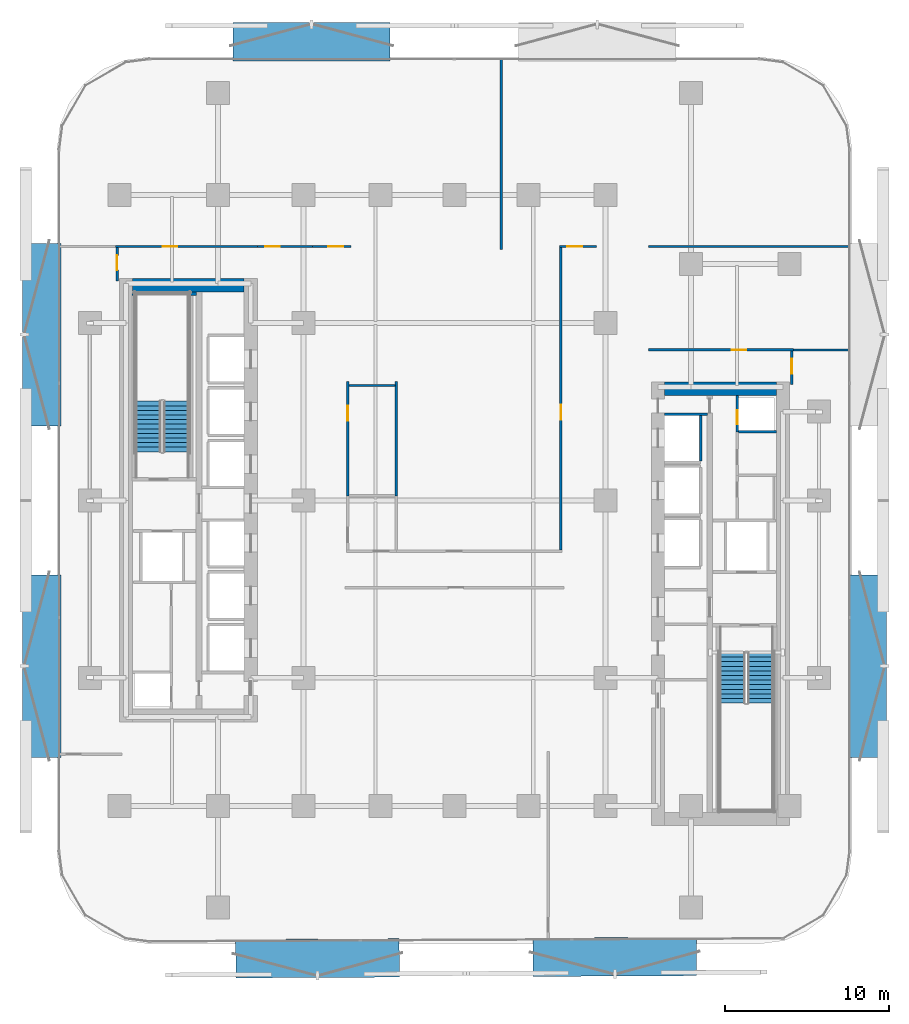
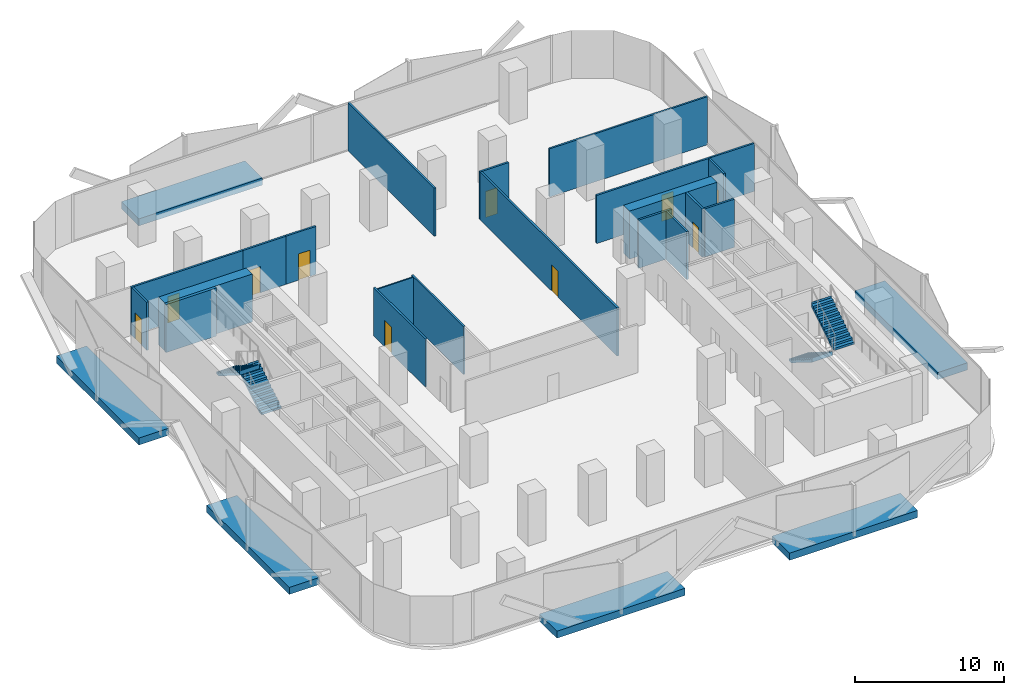
# One storey, part 5 of 15: 21 walls, 10 doors, 6 discrete accessories, 4 stair flights, 10 openings, 2 elements without a shape of their own.
"""IFC4 building model written with IfcOpenShell, lengths in metres."""

from ifc_helpers import new_model, si_unit, direction, frame, frame_2d, origin, origin_2d, place, context, subcontext, project, spatial, polyline, rectangle, outline, extrude, material, layer, layer_set, type_object, element, fill, aggregate, save


model = new_model("IFC4")

# Units and contexts
model_context = context("Model", 3, precision=1e-05, world=origin(), true_north=direction((0.0, 1.0)))
body_context = subcontext(model_context, "Body", "Model", "MODEL_VIEW")
ifc_project = project(units=[si_unit("LENGTHUNIT", "METRE"), si_unit("AREAUNIT", "SQUARE_METRE"), si_unit("VOLUMEUNIT", "CUBIC_METRE"), si_unit("PLANEANGLEUNIT", "RADIAN"), si_unit("MASSUNIT", "GRAM", prefix="KILO")], contexts=[model_context])

# Site, building, storey
site_placement = place(None, origin())
site = spatial("IfcSite", under=ifc_project, at=site_placement, CompositionType="ELEMENT")
building_placement = place(site_placement, origin())
building = spatial("IfcBuilding", under=site, at=building_placement, Name="Khairoan Windgate Tower", CompositionType="ELEMENT")
storey_placement = place(building_placement, frame((0.0, 0.0, 34.39990234375)))
storey = spatial("IfcBuildingStorey", under=building, at=storey_placement, Name="L08", CompositionType="ELEMENT", Elevation=34.39990234375)

# Walls
ifc_material_1 = material(Name="Moisture-Resistant Gypsum Partition", Category="gypsum")
ifc_layer_1 = layer(ifc_material_1, 0.10009765625, Name="Moisture-Resistant Gypsum Partition")
ifc_layer_set_1 = layer_set([ifc_layer_1], Name="Moisture-Resistant Gypsum Partition")
wall_type_1 = type_object("IfcWallType", Name="Bathroom Wet-Area Partition Wall", PredefinedType="PARTITIONING", material=ifc_layer_set_1)
wall_1_placement = place(storey_placement, frame((-6.409912109375, 7.0, 0.0), z_axis=(0.0, 0.0, 1.0), x_axis=(1.0, 0.0, 0.0)))
element("IfcWall", 1, at=wall_1_placement, inside=storey, type_object=wall_type_1, Name="L08 Wet Room Side Wall 033", PredefinedType="PARTITIONING", context=body_context, shape_type="SweptSolid", body=[
    extrude(rectangle(XDim=2.7998046875, YDim=0.10009765625, at=frame_2d((1.39990234375, 0.0))), origin(), (0.0, 0.0, 1.0), 3.940185546875),
])
ifc_material_2 = material(Name="Concrete C40/50", Category="concrete")
ifc_layer_2 = layer(ifc_material_2, 0.159912109375, Name="Concrete C40/50")
ifc_layer_set_2 = layer_set([ifc_layer_2], Name="Concrete C40/50")
wall_type_2 = type_object("IfcWallType", Name="Core and Hoistway Enclosure Wall", PredefinedType="STANDARD", material=ifc_layer_set_2)
wall_2_placement = place(storey_placement, frame((14.989990234375, 2.39990234375, 0.0), z_axis=(0.0, 0.0, 1.0), x_axis=(0.0, 1.0, 0.0)))
element("IfcWall", 2, at=wall_2_placement, inside=storey, type_object=wall_type_2, Name="L08 Lift PL7 Hoistway Back Wall", PredefinedType="STANDARD", context=body_context, shape_type="SweptSolid", body=[
    extrude(rectangle(XDim=2.800048828125, YDim=0.159912109375, at=frame_2d((1.39990234375, 0.0))), origin(), (0.0, 0.0, 1.0), 3.940185546875),
])
wall_3_placement = place(storey_placement, frame((12.800048828125, 5.25, 0.0), z_axis=(0.0, 0.0, 1.0), x_axis=(1.0, 0.0, 0.0)))
element("IfcWall", 3, at=wall_3_placement, inside=storey, type_object=wall_type_2, Name="L08 Core Shaft Wall SW-ESV-L08", PredefinedType="STANDARD", context=body_context, shape_type="SweptSolid", body=[
    extrude(rectangle(XDim=2.599853515625, YDim=0.159912109375, at=frame_2d((1.2998046875, 0.0))), origin(), (0.0, 0.0, 1.0), 3.940185546875),
])
ifc_material_3 = material(Name="Acoustic Fire-Rated Gypsum Partition", Category="gypsum")
ifc_layer_3 = layer(ifc_material_3, 0.139892578125, Name="Acoustic Fire-Rated Gypsum Partition")
ifc_layer_set_3 = layer_set([ifc_layer_3], Name="Acoustic Fire-Rated Gypsum Partition")
wall_type_3 = type_object("IfcWallType", Name="Inter-Tenancy Compartment Wall", PredefinedType="PARTITIONING", material=ifc_layer_set_3)
wall_4_placement = place(storey_placement, frame((20.639892578125, 9.159912109375, 0.0), z_axis=(0.0, 0.0, 1.0), x_axis=(1.0, 0.0, 0.0)))
element("IfcWall", 4, at=wall_4_placement, inside=storey, type_object=wall_type_3, Name="L08 Interior Partition 025", PredefinedType="PARTITIONING", context=body_context, shape_type="SweptSolid", body=[
    extrude(rectangle(XDim=3.4150390625, YDim=0.139892578125, at=frame_2d((1.70751953125, 0.0))), origin(), (0.0, 0.0, 1.0), 3.940185546875),
])
wall_5_placement = place(storey_placement, frame((11.81005859375, 15.4599609375, 0.0), z_axis=(0.0, 0.0, 1.0), x_axis=(1.0, 0.0, 0.0)))
element("IfcWall", 5, at=wall_5_placement, inside=storey, type_object=wall_type_3, Name="L08 Interior Partition 026", PredefinedType="PARTITIONING", context=body_context, shape_type="SweptSolid", body=[
    extrude(rectangle(XDim=12.244873046875, YDim=0.139892578125, at=frame_2d((6.12255859375, 0.0))), origin(), (0.0, 0.0, 1.0), 3.940185546875),
])
wall_6_placement = place(storey_placement, frame((2.85595703125, 15.280029296875, 0.0), z_axis=(0.0, 0.0, 1.0), x_axis=(0.0, 1.0, 0.0)))
element("IfcWall", 6, at=wall_6_placement, inside=storey, type_object=wall_type_3, Name="L08 Interior Partition 027", PredefinedType="PARTITIONING", context=body_context, shape_type="SweptSolid", body=[
    extrude(rectangle(XDim=11.574951171875, YDim=0.139892578125, at=frame_2d((5.78759765625, 0.0))), origin(), (0.0, 0.0, 1.0), 3.940185546875),
])
wall_7_placement = place(storey_placement, frame((-3.5400390625, 0.280029296875, 0.0), z_axis=(0.0, 0.0, 1.0), x_axis=(0.0, 1.0, 0.0)))
element("IfcWall", 7, at=wall_7_placement, inside=storey, type_object=wall_type_3, Name="L08 Interior Partition 031", PredefinedType="PARTITIONING", context=body_context, shape_type="SweptSolid", body=[
    extrude(rectangle(XDim=6.9599609375, YDim=0.139892578125, at=frame_2d((3.47998046875, 0.0))), origin(), (0.0, 0.0, 1.0), 3.940185546875),
])

# Wall, opening, door
ifc_material_4 = material(Name="Concrete C40/50", Category="concrete")
ifc_layer_4 = layer(ifc_material_4, 0.159912109375, Name="Concrete C40/50")
ifc_layer_set_4 = layer_set([ifc_layer_4], Name="Concrete C40/50")
wall_type_4 = type_object("IfcWallType", Name="Plant and Refuge Compartment Wall", PredefinedType="PARTITIONING", material=ifc_layer_set_4)
wall_8_placement = place(storey_placement, frame((17.22998046875, 4.169921875, 0.0), z_axis=(0.0, 0.0, 1.0), x_axis=(0.0, 1.0, 0.0)))
wall_8 = element("IfcWall", 8, at=wall_8_placement, inside=storey, type_object=wall_type_4, Name="L08 Interior Partition 004", PredefinedType="PARTITIONING", context=body_context, shape_type="SweptSolid", body=[
    extrude(rectangle(XDim=2.22998046875, YDim=0.159912109375, at=frame_2d((1.114990234375, 0.0))), origin(), (0.0, 0.0, 1.0), 3.940185546875),
])
opening_1_placement = place(wall_8_placement, frame((0.4599609375, 0.0, 0.0)))
opening_1 = element("IfcOpeningElement", 9, at=opening_1_placement, cuts=wall_8, Name="Opening FD-SRV", PredefinedType="OPENING", context=body_context, shape_type="SweptSolid", body=[
    extrude(rectangle(XDim=0.85009765625, YDim=2.10009765625, at=frame_2d((0.425048828125, 1.050048828125))), frame((0.0, 0.08984375, 0.0), z_axis=(0.0, -1.0, 0.0), x_axis=(1.0, 0.0, 0.0)), (0.0, 0.0, 1.0), 0.179931640625),
])
ifc_material_5 = material(Name="Steel S355", Category="steel")
door_type_1 = type_object("IfcDoorType", Name="Core Service and Riser Fire Door FD-SRV 850x2100", OperationType="NOTDEFINED", PredefinedType="DOOR", material=ifc_material_5)
door_1_placement = place(opening_1_placement, origin())
door_1 = element("IfcDoor", 10, at=door_1_placement, inside=storey, type_object=door_type_1, Name="L08 L08-18-L08-19 Door", OperationType="SINGLE_SWING_LEFT", OverallHeight=2.10009765625, OverallWidth=0.85009765625, PredefinedType="DOOR", context=body_context, shape_type="SweptSolid", body=[
    extrude(rectangle(XDim=0.85009765625, YDim=2.10009765625, at=frame_2d((0.425048828125, 1.050048828125))), frame((0.0, 0.02490234375, 0.0), z_axis=(0.0, -1.0, 0.0), x_axis=(1.0, 0.0, 0.0)), (0.0, 0.0, 1.0), 0.050048828125),
])
fill(opening_1, door_1)

# Wall
wall_9_placement = place(storey_placement, frame((17.31005859375, 4.169921875, 0.0), z_axis=(0.0, 0.0, 1.0), x_axis=(1.0, 0.0, 0.0)))
element("IfcWall", 11, at=wall_9_placement, inside=storey, type_object=wall_type_4, Name="L08 Interior Partition 007", PredefinedType="PARTITIONING", context=body_context, shape_type="SweptSolid", body=[
    extrude(rectangle(XDim=2.2900390625, YDim=0.159912109375, at=frame_2d((1.14501953125, 0.0))), origin(), (0.0, 0.0, 1.0), 3.940185546875),
])

# Wall, opening, door
ifc_material_6 = material(Name="Acoustic Fire-Rated Gypsum Partition", Category="gypsum")
ifc_layer_5 = layer(ifc_material_6, 0.14990234375, Name="Acoustic Fire-Rated Gypsum Partition")
ifc_layer_set_5 = layer_set([ifc_layer_5], Name="Acoustic Fire-Rated Gypsum Partition")
wall_type_5 = type_object("IfcWallType", Name="Rated Corridor Partition Wall", PredefinedType="PARTITIONING", material=ifc_layer_set_5)
wall_10_placement = place(storey_placement, frame((-11.989990234375, 15.4599609375, 0.0), z_axis=(0.0, 0.0, 1.0), x_axis=(1.0, 0.0, 0.0)))
wall_10 = element("IfcWall", 12, at=wall_10_placement, inside=storey, type_object=wall_type_5, Name="L08 Interior Partition 010", PredefinedType="PARTITIONING", context=body_context, shape_type="SweptSolid", body=[
    extrude(rectangle(XDim=3.35009765625, YDim=0.14990234375, at=frame_2d((1.675048828125, 0.0))), origin(), (0.0, 0.0, 1.0), 3.940185546875),
])
opening_2_placement = place(wall_10_placement, frame((0.4599609375, 0.0, 0.0)))
opening_2 = element("IfcOpeningElement", 13, at=opening_2_placement, cuts=wall_10, Name="Opening FD-ENT", PredefinedType="OPENING", context=body_context, shape_type="SweptSolid", body=[
    extrude(rectangle(XDim=0.89990234375, YDim=2.14990234375, at=frame_2d((0.449951171875, 1.074951171875))), frame((0.0, 0.0849609375, 0.0), z_axis=(0.0, -1.0, 0.0), x_axis=(1.0, 0.0, 0.0)), (0.0, 0.0, 1.0), 0.169921875),
])
ifc_material_7 = material(Name="Timber Fire-Rated Core", Category="wood")
door_type_2 = type_object("IfcDoorType", Name="Unit and Office Fire Entrance Door FD-ENT 900x2150", OperationType="NOTDEFINED", PredefinedType="DOOR", material=ifc_material_7)
door_2_placement = place(opening_2_placement, origin())
door_2 = element("IfcDoor", 14, at=door_2_placement, inside=storey, type_object=door_type_2, Name="L08 L08-29-L08-39 Door", OperationType="SINGLE_SWING_RIGHT", OverallHeight=2.14990234375, OverallWidth=0.89990234375, PredefinedType="DOOR", context=body_context, shape_type="SweptSolid", body=[
    extrude(rectangle(XDim=0.89990234375, YDim=2.14990234375, at=frame_2d((0.449951171875, 1.074951171875))), frame((0.0, 0.02490234375, 0.0), z_axis=(0.0, -1.0, 0.0), x_axis=(1.0, 0.0, 0.0)), (0.0, 0.0, 1.0), 0.050048828125),
])
fill(opening_2, door_2)

wall_11_placement = place(storey_placement, frame((-8.639892578125, 15.4599609375, 0.0), z_axis=(0.0, 0.0, 1.0), x_axis=(1.0, 0.0, 0.0)))
wall_11 = element("IfcWall", 15, at=wall_11_placement, inside=storey, type_object=wall_type_5, Name="L08 Interior Partition 014", PredefinedType="PARTITIONING", context=body_context, shape_type="SweptSolid", body=[
    extrude(rectangle(XDim=2.329833984375, YDim=0.14990234375, at=frame_2d((1.1650390625, 0.0))), origin(), (0.0, 0.0, 1.0), 3.940185546875),
])
opening_3_placement = place(wall_11_placement, frame((0.969970703125, 0.0, 0.0)))
opening_3 = element("IfcOpeningElement", 16, at=opening_3_placement, cuts=wall_11, Name="Opening FD-ENT", PredefinedType="OPENING", context=body_context, shape_type="SweptSolid", body=[
    extrude(rectangle(XDim=0.89990234375, YDim=2.14990234375, at=frame_2d((0.449951171875, 1.074951171875))), frame((0.0, 0.0849609375, 0.0), z_axis=(0.0, -1.0, 0.0), x_axis=(1.0, 0.0, 0.0)), (0.0, 0.0, 1.0), 0.169921875),
])
door_3_placement = place(opening_3_placement, origin())
door_3 = element("IfcDoor", 17, at=door_3_placement, inside=storey, type_object=door_type_2, Name="L08 L08-32-L08-39 Door", OperationType="SINGLE_SWING_RIGHT", OverallHeight=2.14990234375, OverallWidth=0.89990234375, PredefinedType="DOOR", context=body_context, shape_type="SweptSolid", body=[
    extrude(rectangle(XDim=0.89990234375, YDim=2.14990234375, at=frame_2d((0.449951171875, 1.074951171875))), frame((0.0, 0.02490234375, 0.0), z_axis=(0.0, -1.0, 0.0), x_axis=(1.0, 0.0, 0.0)), (0.0, 0.0, 1.0), 0.050048828125),
])
fill(opening_3, door_3)

wall_12_placement = place(storey_placement, frame((-6.485107421875, 0.280029296875, 0.0), z_axis=(0.0, 0.0, 1.0), x_axis=(0.0, 1.0, 0.0)))
wall_12 = element("IfcWall", 18, at=wall_12_placement, inside=storey, type_object=wall_type_5, Name="L08 Interior Partition 016", PredefinedType="PARTITIONING", context=body_context, shape_type="SweptSolid", body=[
    extrude(rectangle(XDim=6.9599609375, YDim=0.14990234375, at=frame_2d((3.47998046875, 0.0))), origin(), (0.0, 0.0, 1.0), 3.940185546875),
])
opening_4_placement = place(wall_12_placement, frame((4.572021484375, 0.0, 0.0)))
opening_4 = element("IfcOpeningElement", 19, at=opening_4_placement, cuts=wall_12, Name="Opening FD-ENT", PredefinedType="OPENING", context=body_context, shape_type="SweptSolid", body=[
    extrude(rectangle(XDim=0.89990234375, YDim=2.14990234375, at=frame_2d((0.449951171875, 1.074951171875))), frame((0.0, 0.0849609375, 0.0), z_axis=(0.0, -1.0, 0.0), x_axis=(1.0, 0.0, 0.0)), (0.0, 0.0, 1.0), 0.169921875),
])
door_4_placement = place(opening_4_placement, origin())
door_4 = element("IfcDoor", 20, at=door_4_placement, inside=storey, type_object=door_type_2, Name="L08 L08-32-L08-44 Door", OperationType="SINGLE_SWING_RIGHT", OverallHeight=2.14990234375, OverallWidth=0.89990234375, PredefinedType="DOOR", context=body_context, shape_type="SweptSolid", body=[
    extrude(rectangle(XDim=0.89990234375, YDim=2.14990234375, at=frame_2d((0.449951171875, 1.074951171875))), frame((0.0, 0.02490234375, 0.0), z_axis=(0.0, -1.0, 0.0), x_axis=(1.0, 0.0, 0.0)), (0.0, 0.0, 1.0), 0.050048828125),
])
fill(opening_4, door_4)

wall_13_placement = place(storey_placement, frame((6.409912109375, 15.4599609375, 0.0), z_axis=(0.0, 0.0, 1.0), x_axis=(1.0, 0.0, 0.0)))
wall_13 = element("IfcWall", 21, at=wall_13_placement, inside=storey, type_object=wall_type_5, Name="L08 Interior Partition 017", PredefinedType="PARTITIONING", context=body_context, shape_type="SweptSolid", body=[
    extrude(rectangle(XDim=2.22998046875, YDim=0.14990234375, at=frame_2d((1.114990234375, 0.0))), origin(), (0.0, 0.0, 1.0), 3.940185546875),
])
opening_5_placement = place(wall_13_placement, frame((0.4599609375, 0.0, 0.0)))
opening_5 = element("IfcOpeningElement", 22, at=opening_5_placement, cuts=wall_13, Name="Opening FD-ENT", PredefinedType="OPENING", context=body_context, shape_type="SweptSolid", body=[
    extrude(rectangle(XDim=0.89990234375, YDim=2.14990234375, at=frame_2d((0.449951171875, 1.074951171875))), frame((0.0, 0.0849609375, 0.0), z_axis=(0.0, -1.0, 0.0), x_axis=(1.0, 0.0, 0.0)), (0.0, 0.0, 1.0), 0.169921875),
])
door_5_placement = place(opening_5_placement, origin())
door_5 = element("IfcDoor", 23, at=door_5_placement, inside=storey, type_object=door_type_2, Name="L08 L08-33-L08-40 Door", OperationType="SINGLE_SWING_LEFT", OverallHeight=2.14990234375, OverallWidth=0.89990234375, PredefinedType="DOOR", context=body_context, shape_type="SweptSolid", body=[
    extrude(rectangle(XDim=0.89990234375, YDim=2.14990234375, at=frame_2d((0.449951171875, 1.074951171875))), frame((0.0, 0.02490234375, 0.0), z_axis=(0.0, -1.0, 0.0), x_axis=(1.0, 0.0, 0.0)), (0.0, 0.0, 1.0), 0.050048828125),
])
fill(opening_5, door_5)

wall_14_placement = place(storey_placement, frame((6.485107421875, -3.02001953125, 0.0), z_axis=(0.0, 0.0, 1.0), x_axis=(0.0, 1.0, 0.0)))
wall_14 = element("IfcWall", 24, at=wall_14_placement, inside=storey, type_object=wall_type_5, Name="L08 Interior Partition 018", PredefinedType="PARTITIONING", context=body_context, shape_type="SweptSolid", body=[
    extrude(rectangle(XDim=18.405029296875, YDim=0.14990234375, at=frame_2d((9.20263671875, 0.0))), origin(), (0.0, 0.0, 1.0), 3.940185546875),
])
opening_6_placement = place(wall_14_placement, frame((7.943603515625, 0.0, 0.0)))
opening_6 = element("IfcOpeningElement", 25, at=opening_6_placement, cuts=wall_14, Name="Opening FD-ENT", PredefinedType="OPENING", context=body_context, shape_type="SweptSolid", body=[
    extrude(rectangle(XDim=0.89990234375, YDim=2.14990234375, at=frame_2d((0.449951171875, 1.074951171875))), frame((0.0, 0.0849609375, 0.0), z_axis=(0.0, -1.0, 0.0), x_axis=(1.0, 0.0, 0.0)), (0.0, 0.0, 1.0), 0.169921875),
])
door_6_placement = place(opening_6_placement, origin())
door_6 = element("IfcDoor", 26, at=door_6_placement, inside=storey, type_object=door_type_2, Name="L08 L08-33-L08-45 Door", OperationType="SINGLE_SWING_RIGHT", OverallHeight=2.14990234375, OverallWidth=0.89990234375, PredefinedType="DOOR", context=body_context, shape_type="SweptSolid", body=[
    extrude(rectangle(XDim=0.89990234375, YDim=2.14990234375, at=frame_2d((0.449951171875, 1.074951171875))), frame((0.0, 0.02490234375, 0.0), z_axis=(0.0, -1.0, 0.0), x_axis=(1.0, 0.0, 0.0)), (0.0, 0.0, 1.0), 0.050048828125),
])
fill(opening_6, door_6)

wall_15_placement = place(storey_placement, frame((-20.5400390625, 13.360107421875, 0.0), z_axis=(0.0, 0.0, 1.0), x_axis=(0.0, 1.0, 0.0)))
wall_15 = element("IfcWall", 27, at=wall_15_placement, inside=storey, type_object=wall_type_5, Name="L08 Interior Partition 019", PredefinedType="PARTITIONING", context=body_context, shape_type="SweptSolid", body=[
    extrude(rectangle(XDim=2.02490234375, YDim=0.14990234375, at=frame_2d((1.012451171875, 0.0))), origin(), (0.0, 0.0, 1.0), 3.940185546875),
])
opening_7_placement = place(wall_15_placement, frame((0.6650390625, 0.0, 0.0)))
opening_7 = element("IfcOpeningElement", 28, at=opening_7_placement, cuts=wall_15, Name="Opening FD-ENT", PredefinedType="OPENING", context=body_context, shape_type="SweptSolid", body=[
    extrude(rectangle(XDim=0.89990234375, YDim=2.14990234375, at=frame_2d((0.449951171875, 1.074951171875))), frame((0.0, 0.0849609375, 0.0), z_axis=(0.0, -1.0, 0.0), x_axis=(1.0, 0.0, 0.0)), (0.0, 0.0, 1.0), 0.169921875),
])
door_7_placement = place(opening_7_placement, origin())
door_7 = element("IfcDoor", 29, at=door_7_placement, inside=storey, type_object=door_type_2, Name="L08 L08-34-L08-36 Door", OperationType="SINGLE_SWING_LEFT", OverallHeight=2.14990234375, OverallWidth=0.89990234375, PredefinedType="DOOR", context=body_context, shape_type="SweptSolid", body=[
    extrude(rectangle(XDim=0.89990234375, YDim=2.14990234375, at=frame_2d((0.449951171875, 1.074951171875))), frame((0.0, 0.02490234375, 0.0), z_axis=(0.0, -1.0, 0.0), x_axis=(1.0, 0.0, 0.0)), (0.0, 0.0, 1.0), 0.050048828125),
])
fill(opening_7, door_7)

wall_16_placement = place(storey_placement, frame((-20.639892578125, 15.4599609375, 0.0), z_axis=(0.0, 0.0, 1.0), x_axis=(1.0, 0.0, 0.0)))
wall_16 = element("IfcWall", 30, at=wall_16_placement, inside=storey, type_object=wall_type_5, Name="L08 Interior Partition 020", PredefinedType="PARTITIONING", context=body_context, shape_type="SweptSolid", body=[
    extrude(rectangle(XDim=8.64990234375, YDim=0.14990234375, at=frame_2d((4.324951171875, 0.0))), origin(), (0.0, 0.0, 1.0), 3.940185546875),
])
opening_8_placement = place(wall_16_placement, frame((2.87060546875, 0.0, 0.0)))
opening_8 = element("IfcOpeningElement", 31, at=opening_8_placement, cuts=wall_16, Name="Opening FD-ENT", PredefinedType="OPENING", context=body_context, shape_type="SweptSolid", body=[
    extrude(rectangle(XDim=0.89990234375, YDim=2.14990234375, at=frame_2d((0.449951171875, 1.074951171875))), frame((0.0, 0.0849609375, 0.0), z_axis=(0.0, -1.0, 0.0), x_axis=(1.0, 0.0, 0.0)), (0.0, 0.0, 1.0), 0.169921875),
])
door_8_placement = place(opening_8_placement, origin())
door_8 = element("IfcDoor", 32, at=door_8_placement, inside=storey, type_object=door_type_2, Name="L08 L08-34-L08-39 Door", OperationType="SINGLE_SWING_RIGHT", OverallHeight=2.14990234375, OverallWidth=0.89990234375, PredefinedType="DOOR", context=body_context, shape_type="SweptSolid", body=[
    extrude(rectangle(XDim=0.89990234375, YDim=2.14990234375, at=frame_2d((0.449951171875, 1.074951171875))), frame((0.0, 0.02490234375, 0.0), z_axis=(0.0, -1.0, 0.0), x_axis=(1.0, 0.0, 0.0)), (0.0, 0.0, 1.0), 0.050048828125),
])
fill(opening_8, door_8)

wall_17_placement = place(storey_placement, frame((20.5400390625, 7.06005859375, 0.0), z_axis=(0.0, 0.0, 1.0), x_axis=(0.0, 1.0, 0.0)))
wall_17 = element("IfcWall", 33, at=wall_17_placement, inside=storey, type_object=wall_type_5, Name="L08 Interior Partition 021", PredefinedType="PARTITIONING", context=body_context, shape_type="SweptSolid", body=[
    extrude(rectangle(XDim=2.02490234375, YDim=0.14990234375, at=frame_2d((1.012451171875, 0.0))), origin(), (0.0, 0.0, 1.0), 3.940185546875),
])
opening_9_placement = place(wall_17_placement, frame((0.6650390625, 0.0, 0.0)))
opening_9 = element("IfcOpeningElement", 34, at=opening_9_placement, cuts=wall_17, Name="Opening FD-ENT", PredefinedType="OPENING", context=body_context, shape_type="SweptSolid", body=[
    extrude(rectangle(XDim=0.89990234375, YDim=2.14990234375, at=frame_2d((0.449951171875, 1.074951171875))), frame((0.0, 0.0849609375, 0.0), z_axis=(0.0, -1.0, 0.0), x_axis=(1.0, 0.0, 0.0)), (0.0, 0.0, 1.0), 0.169921875),
])
door_9_placement = place(opening_9_placement, origin())
door_9 = element("IfcDoor", 35, at=door_9_placement, inside=storey, type_object=door_type_2, Name="L08 L08-35-L08-37 Door", OperationType="SINGLE_SWING_LEFT", OverallHeight=2.14990234375, OverallWidth=0.89990234375, PredefinedType="DOOR", context=body_context, shape_type="SweptSolid", body=[
    extrude(rectangle(XDim=0.89990234375, YDim=2.14990234375, at=frame_2d((0.449951171875, 1.074951171875))), frame((0.0, 0.02490234375, 0.0), z_axis=(0.0, -1.0, 0.0), x_axis=(1.0, 0.0, 0.0)), (0.0, 0.0, 1.0), 0.050048828125),
])
fill(opening_9, door_9)

wall_18_placement = place(storey_placement, frame((11.81005859375, 9.159912109375, 0.0), z_axis=(0.0, 0.0, 1.0), x_axis=(1.0, 0.0, 0.0)))
wall_18 = element("IfcWall", 36, at=wall_18_placement, inside=storey, type_object=wall_type_5, Name="L08 Interior Partition 022", PredefinedType="PARTITIONING", context=body_context, shape_type="SweptSolid", body=[
    extrude(rectangle(XDim=8.829833984375, YDim=0.14990234375, at=frame_2d((4.4150390625, 0.0))), origin(), (0.0, 0.0, 1.0), 3.940185546875),
])
opening_10_placement = place(wall_18_placement, frame((5.066650390625, 0.0, 0.0)))
opening_10 = element("IfcOpeningElement", 37, at=opening_10_placement, cuts=wall_18, Name="Opening FD-ENT", PredefinedType="OPENING", context=body_context, shape_type="SweptSolid", body=[
    extrude(rectangle(XDim=0.89990234375, YDim=2.14990234375, at=frame_2d((0.449951171875, 1.074951171875))), frame((0.0, 0.0849609375, 0.0), z_axis=(0.0, -1.0, 0.0), x_axis=(1.0, 0.0, 0.0)), (0.0, 0.0, 1.0), 0.169921875),
])
door_10_placement = place(opening_10_placement, origin())
door_10 = element("IfcDoor", 38, at=door_10_placement, inside=storey, type_object=door_type_2, Name="L08 L08-35-L08-38 Door", OperationType="SINGLE_SWING_RIGHT", OverallHeight=2.14990234375, OverallWidth=0.89990234375, PredefinedType="DOOR", context=body_context, shape_type="SweptSolid", body=[
    extrude(rectangle(XDim=0.89990234375, YDim=2.14990234375, at=frame_2d((0.449951171875, 1.074951171875))), frame((0.0, 0.02490234375, 0.0), z_axis=(0.0, -1.0, 0.0), x_axis=(1.0, 0.0, 0.0)), (0.0, 0.0, 1.0), 0.050048828125),
])
fill(opening_10, door_10)

# Walls
ifc_material_8 = material(Name="Concrete C70/85", Category="concrete")
ifc_layer_6 = layer(ifc_material_8, 0.800048828125, Name="Concrete C70/85")
ifc_layer_set_6 = layer_set([ifc_layer_6], Name="Concrete C70/85")
wall_type_6 = type_object("IfcWallType", Name="Shear Wall CW-E1 800mm", PredefinedType="SHEAR", material=ifc_layer_set_6)
wall_19_placement = place(storey_placement, frame((12.800048828125, 6.800048828125, 0.0), z_axis=(0.0, 0.0, 1.0), x_axis=(1.0, 0.0, 0.0)))
element("IfcWall", 39, at=wall_19_placement, inside=storey, type_object=wall_type_6, Name="E Core North Shear Wall L08", PredefinedType="SHEAR", context=body_context, shape_type="SweptSolid", body=[
    extrude(rectangle(XDim=6.800048828125, YDim=0.800048828125, at=frame_2d((3.39990234375, 0.0))), origin(), (0.0, 0.0, 1.0), 3.940185546875),
])
ifc_material_9 = material(Name="Concrete C70/85", Category="concrete")
ifc_layer_7 = layer(ifc_material_9, 0.800048828125, Name="Concrete C70/85")
ifc_layer_set_7 = layer_set([ifc_layer_7], Name="Concrete C70/85")
wall_type_7 = type_object("IfcWallType", Name="Shear Wall CW-W1 800mm", PredefinedType="SHEAR", material=ifc_layer_set_7)
wall_20_placement = place(storey_placement, frame((-19.60009765625, 13.10009765625, 0.0), z_axis=(0.0, 0.0, 1.0), x_axis=(1.0, 0.0, 0.0)))
element("IfcWall", 40, at=wall_20_placement, inside=storey, type_object=wall_type_7, Name="W Core North Shear Wall L08", PredefinedType="SHEAR", context=body_context, shape_type="SweptSolid", body=[
    extrude(rectangle(XDim=6.800048828125, YDim=0.800048828125, at=frame_2d((3.39990234375, 0.0))), origin(), (0.0, 0.0, 1.0), 3.940185546875),
])
ifc_material_10 = material(Name="Concrete C50/60", Category="concrete")
ifc_layer_8 = layer(ifc_material_10, 0.219970703125, Name="Concrete C50/60")
ifc_layer_set_8 = layer_set([ifc_layer_8], Name="Concrete C50/60")
wall_type_8 = type_object("IfcWallType", Name="Shear Wall SW-ST 220mm", PredefinedType="SHEAR", material=ifc_layer_set_8)
wall_21_placement = place(storey_placement, frame((-19.6201171875, 12.590087890625, 0.0), z_axis=(0.0, 0.0, 1.0), x_axis=(1.0, 0.0, 0.0)))
element("IfcWall", 41, at=wall_21_placement, inside=storey, type_object=wall_type_8, Name="L08 Stair ST2 North Bearing Wall", PredefinedType="SHEAR", context=body_context, shape_type="SweptSolid", body=[
    extrude(rectangle(XDim=3.9150390625, YDim=0.219970703125, at=frame_2d((1.95751953125, 0.0))), origin(), (0.0, 0.0, 1.0), 3.940185546875),
])

# Stair, stair flights
ifc_material_11 = material(Name="Concrete C40/50", Category="concrete")
stair_type = type_object("IfcStairType", Name="Tower Core Dog-Leg Stair ST-T1 1560mm", PredefinedType="HALF_TURN_STAIR", material=ifc_material_11)
stair_1_placement = place(storey_placement, origin())
stair_1 = element("IfcStair", 42, at=stair_1_placement, inside=storey, type_object=stair_type, Name="L08 Stair ST1", PredefinedType="HALF_TURN_STAIR")
ifc_material_12 = material(Name="Concrete C40/50", Category="concrete")
ifc_layer_9 = layer(ifc_material_12, 0.14990234375, Name="Concrete C40/50")
ifc_layer_set_9 = layer_set([ifc_layer_9], Name="Concrete C40/50")
stair_flight_type = type_object("IfcStairFlightType", Name="Tower Core Stair Flight STF-1560", PredefinedType="STRAIGHT", material=ifc_layer_set_9)
stair_flight_1_placement = place(storey_placement, frame((16.929931640625, -9.260009765625, 0.0), z_axis=(0.0, 0.0, 1.0), x_axis=(0.0, -1.0, 0.0)))
stair_flight_1 = element("IfcStairFlight", 43, at=stair_flight_1_placement, type_object=stair_flight_type, Name="ST1 flight 1", NumberOfRisers=12, NumberOfTreads=11, PredefinedType="STRAIGHT", RiserHeight=0.175, TreadLength=0.28, context=body_context, shape_type="SweptSolid", body=[
    extrude(outline(polyline([(-0.00390625, 0.0), (-0.00390625, 0.175048828125), (0.0, 0.175048828125), (0.280029296875, 0.175048828125), (0.280029296875, 0.35009765625), (0.56005859375, 0.35009765625), (0.56005859375, 0.52490234375), (0.840087890625, 0.52490234375), (0.840087890625, 0.699951171875), (1.1201171875, 0.699951171875), (1.1201171875, 0.875), (1.39990234375, 0.875), (1.39990234375, 1.050048828125), (1.679931640625, 1.050048828125), (1.679931640625, 1.22509765625), (1.9599609375, 1.22509765625), (1.9599609375, 1.39990234375), (2.239990234375, 1.39990234375), (2.239990234375, 1.574951171875), (2.52001953125, 1.574951171875), (2.52001953125, 1.75), (2.800048828125, 1.75), (2.800048828125, 1.925048828125), (3.080078125, 1.925048828125), (3.080078125, 2.10009765625), (3.083984375, 2.10009765625), (3.083984375, 1.748291015625), (0.28271484375, 0.0), (-0.00390625, 0.0)])), frame((0.0, 0.780029296875, 0.0), z_axis=(0.0, -1.0, 0.0), x_axis=(1.0, 0.0, 0.0)), (0.0, 0.0, 1.0), 1.56005859375),
])
stair_flight_2_placement = place(storey_placement, frame((18.639892578125, -12.340087890625, 2.10009765625), z_axis=(0.0, 0.0, 1.0), x_axis=(0.0, 1.0, 0.0)))
stair_flight_2 = element("IfcStairFlight", 44, at=stair_flight_2_placement, type_object=stair_flight_type, Name="ST1 flight 2", NumberOfRisers=12, NumberOfTreads=11, PredefinedType="STRAIGHT", RiserHeight=0.175, TreadLength=0.28, context=body_context, shape_type="SweptSolid", body=[
    extrude(outline(polyline([(-0.00390625, 0.0), (-0.00390625, 0.175048828125), (0.0, 0.175048828125), (0.280029296875, 0.175048828125), (0.280029296875, 0.35009765625), (0.56005859375, 0.35009765625), (0.56005859375, 0.52490234375), (0.840087890625, 0.52490234375), (0.840087890625, 0.699951171875), (1.1201171875, 0.699951171875), (1.1201171875, 0.875), (1.39990234375, 0.875), (1.39990234375, 1.050048828125), (1.679931640625, 1.050048828125), (1.679931640625, 1.22509765625), (1.9599609375, 1.22509765625), (1.9599609375, 1.39990234375), (2.239990234375, 1.39990234375), (2.239990234375, 1.574951171875), (2.52001953125, 1.574951171875), (2.52001953125, 1.75), (2.800048828125, 1.75), (2.800048828125, 1.925048828125), (3.080078125, 1.925048828125), (3.080078125, 2.10009765625), (3.083984375, 2.10009765625), (3.083984375, 1.748291015625), (0.28271484375, 0.0), (-0.00390625, 0.0)])), frame((0.0, 0.780029296875, 0.0), z_axis=(0.0, -1.0, 0.0), x_axis=(1.0, 0.0, 0.0)), (0.0, 0.0, 1.0), 1.56005859375),
])
aggregate(stair_1, [stair_flight_1, stair_flight_2])

stair_2_placement = place(storey_placement, origin())
stair_2 = element("IfcStair", 45, at=stair_2_placement, inside=storey, type_object=stair_type, Name="L08 Stair ST2", PredefinedType="HALF_TURN_STAIR")
stair_flight_3_placement = place(storey_placement, frame((-16.929931640625, 2.9599609375, 0.0), z_axis=(0.0, 0.0, 1.0), x_axis=(0.0, 1.0, 0.0)))
stair_flight_3 = element("IfcStairFlight", 46, at=stair_flight_3_placement, type_object=stair_flight_type, Name="ST2 flight 1", NumberOfRisers=12, NumberOfTreads=11, PredefinedType="STRAIGHT", RiserHeight=0.175, TreadLength=0.28, context=body_context, shape_type="SweptSolid", body=[
    extrude(outline(polyline([(-0.00390625, 0.0), (-0.00390625, 0.175048828125), (0.0, 0.175048828125), (0.280029296875, 0.175048828125), (0.280029296875, 0.35009765625), (0.56005859375, 0.35009765625), (0.56005859375, 0.52490234375), (0.840087890625, 0.52490234375), (0.840087890625, 0.699951171875), (1.1201171875, 0.699951171875), (1.1201171875, 0.875), (1.39990234375, 0.875), (1.39990234375, 1.050048828125), (1.679931640625, 1.050048828125), (1.679931640625, 1.22509765625), (1.9599609375, 1.22509765625), (1.9599609375, 1.39990234375), (2.239990234375, 1.39990234375), (2.239990234375, 1.574951171875), (2.52001953125, 1.574951171875), (2.52001953125, 1.75), (2.800048828125, 1.75), (2.800048828125, 1.925048828125), (3.080078125, 1.925048828125), (3.080078125, 2.10009765625), (3.083984375, 2.10009765625), (3.083984375, 1.748291015625), (0.28271484375, 0.0), (-0.00390625, 0.0)])), frame((0.0, 0.780029296875, 0.0), z_axis=(0.0, -1.0, 0.0), x_axis=(1.0, 0.0, 0.0)), (0.0, 0.0, 1.0), 1.56005859375),
])
stair_flight_4_placement = place(storey_placement, frame((-18.639892578125, 6.0400390625, 2.10009765625), z_axis=(0.0, 0.0, 1.0), x_axis=(0.0, -1.0, 0.0)))
stair_flight_4 = element("IfcStairFlight", 47, at=stair_flight_4_placement, type_object=stair_flight_type, Name="ST2 flight 2", NumberOfRisers=12, NumberOfTreads=11, PredefinedType="STRAIGHT", RiserHeight=0.175, TreadLength=0.28, context=body_context, shape_type="SweptSolid", body=[
    extrude(outline(polyline([(-0.00390625, 0.0), (-0.00390625, 0.175048828125), (0.0, 0.175048828125), (0.280029296875, 0.175048828125), (0.280029296875, 0.35009765625), (0.56005859375, 0.35009765625), (0.56005859375, 0.52490234375), (0.840087890625, 0.52490234375), (0.840087890625, 0.699951171875), (1.1201171875, 0.699951171875), (1.1201171875, 0.875), (1.39990234375, 0.875), (1.39990234375, 1.050048828125), (1.679931640625, 1.050048828125), (1.679931640625, 1.22509765625), (1.9599609375, 1.22509765625), (1.9599609375, 1.39990234375), (2.239990234375, 1.39990234375), (2.239990234375, 1.574951171875), (2.52001953125, 1.574951171875), (2.52001953125, 1.75), (2.800048828125, 1.75), (2.800048828125, 1.925048828125), (3.080078125, 1.925048828125), (3.080078125, 2.10009765625), (3.083984375, 2.10009765625), (3.083984375, 1.748291015625), (0.28271484375, 0.0), (-0.00390625, 0.0)])), frame((0.0, 0.780029296875, 0.0), z_axis=(0.0, -1.0, 0.0), x_axis=(1.0, 0.0, 0.0)), (0.0, 0.0, 1.0), 1.56005859375),
])
aggregate(stair_2, [stair_flight_3, stair_flight_4])

# Discrete accessories
ifc_material_13 = material(Name="Steel S355", Category="steel")
discrete_accessory_type = type_object("IfcDiscreteAccessoryType", Name="Solar Screen Outrigger Slab Bracket SSB-1", PredefinedType="BRACKET", material=ifc_material_13)
for number, where, z_axis, x_axis, name in (
    (48, (9.76708984375, -27.79248046875, -0.419921875), (0.0, 0.0, 1.0), (-0.999988059021, -0.004886902454, 0.0), "L08 Solar Screen Outrigger Bracket 17"),
    (49, (-8.334716796875, -27.88037109375, -0.419921875), (0.0, 0.0, 1.0), (-0.999988059021, -0.004886902454, 0.0), "L08 Solar Screen Outrigger Bracket 18"),
):
    element("IfcDiscreteAccessory", number, at=place(storey_placement, frame(where, z_axis=z_axis, x_axis=x_axis)), inside=storey, type_object=discrete_accessory_type, Name=name, PredefinedType="BRACKET", context=body_context, shape_type="SweptSolid", body=[
        extrude(rectangle(XDim=9.9560546875, YDim=2.340087890625, at=origin_2d()), origin(), (0.0, 0.0, 1.0), 0.580078125),
    ])
for number, where, z_axis, x_axis, name in (
    (50, (-25.1298828125, -10.095458984375, -0.419921875), (0.0, 0.0, 1.0), (0.0, 1.0, 0.0), "L08 Solar Screen Outrigger Bracket 19"),
    (51, (-25.1298828125, 10.095458984375, -0.419921875), (0.0, 0.0, 1.0), (0.0, 1.0, 0.0), "L08 Solar Screen Outrigger Bracket 20"),
):
    element("IfcDiscreteAccessory", number, at=place(storey_placement, frame(where, z_axis=z_axis, x_axis=x_axis)), inside=storey, type_object=discrete_accessory_type, Name=name, PredefinedType="BRACKET", context=body_context, shape_type="SweptSolid", body=[
        extrude(rectangle(XDim=11.10498046875, YDim=2.340087890625, at=origin_2d()), origin(), (0.0, 0.0, 1.0), 0.580078125),
    ])
discrete_accessory_1_placement = place(storey_placement, frame((-8.6953125, 27.929931640625, -0.419921875), z_axis=(0.0, 0.0, 1.0), x_axis=(1.0, 0.0, 0.0)))
element("IfcDiscreteAccessory", 52, at=discrete_accessory_1_placement, inside=storey, type_object=discrete_accessory_type, Name="L08 Solar Screen Outrigger Bracket 21", PredefinedType="BRACKET", context=body_context, shape_type="SweptSolid", body=[
    extrude(rectangle(XDim=9.56494140625, YDim=2.340087890625, at=origin_2d()), origin(), (0.0, 0.0, 1.0), 0.580078125),
])
discrete_accessory_2_placement = place(storey_placement, frame((25.1298828125, -10.095458984375, -0.419921875), z_axis=(0.0, 0.0, 1.0), x_axis=(0.0, -1.0, 0.0)))
element("IfcDiscreteAccessory", 53, at=discrete_accessory_2_placement, inside=storey, type_object=discrete_accessory_type, Name="L08 Solar Screen Outrigger Bracket 24", PredefinedType="BRACKET", context=body_context, shape_type="SweptSolid", body=[
    extrude(rectangle(XDim=11.10498046875, YDim=2.340087890625, at=origin_2d()), origin(), (0.0, 0.0, 1.0), 0.580078125),
])

save(model, "model.ifc")
